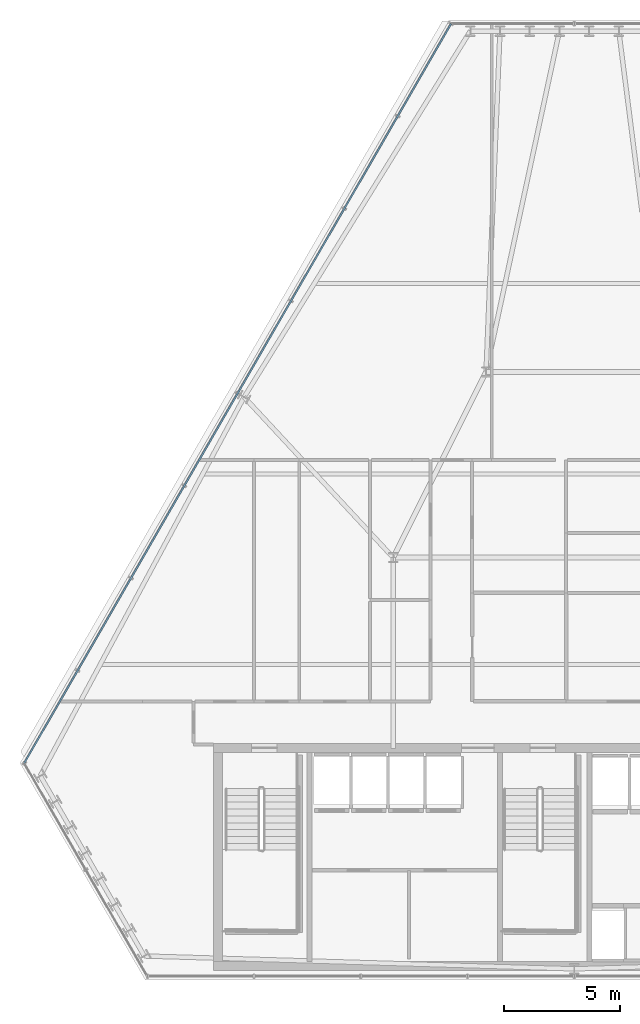
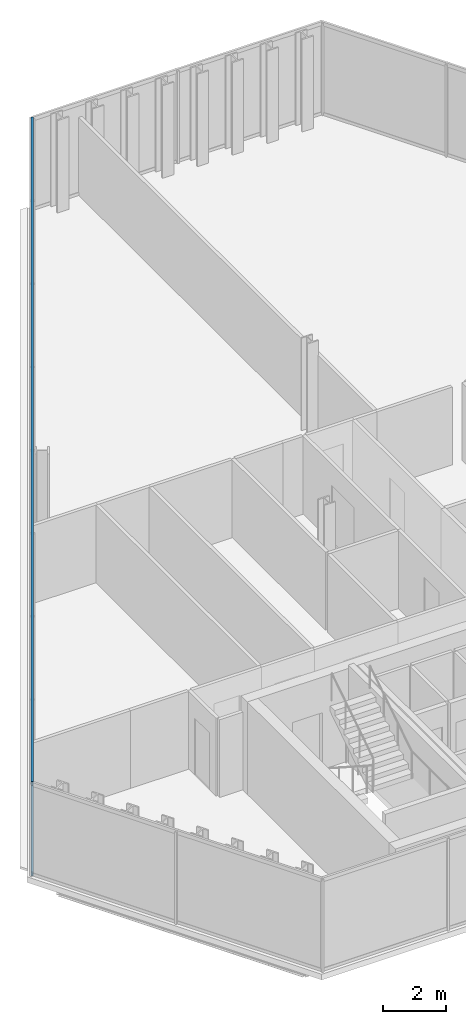
# One storey, part 12 of 33: 2 members, 1 element without a shape of its own.
"""IFC4 building model written with IfcOpenShell, lengths in metres."""

from ifc_helpers import new_model, si_unit, direction, frame, origin, origin_2d, place, context, subcontext, project, spatial, hollow_rectangle, extrude, material, layer, layer_set, material_profile, profile_set, type_object, element, aggregate, save


model = new_model("IFC4")

# Units and contexts
model_context = context("Model", 3, precision=1e-05, world=origin(), true_north=direction((0.0, 1.0)))
body_context = subcontext(model_context, "Body", "Model", "MODEL_VIEW")
ifc_project = project(units=[si_unit("LENGTHUNIT", "METRE"), si_unit("AREAUNIT", "SQUARE_METRE"), si_unit("VOLUMEUNIT", "CUBIC_METRE"), si_unit("PLANEANGLEUNIT", "RADIAN"), si_unit("MASSUNIT", "GRAM", prefix="KILO")], contexts=[model_context])

# Site, building, storey
site_placement = place(None, origin())
site = spatial("IfcSite", under=ifc_project, at=site_placement, CompositionType="ELEMENT")
building_placement = place(site_placement, origin())
building = spatial("IfcBuilding", under=site, at=building_placement, Name="Ndaravel Arena Tower", CompositionType="ELEMENT")
storey_placement = place(building_placement, frame((0.0, 0.0, 161.199951171875)))
storey = spatial("IfcBuildingStorey", under=building, at=storey_placement, Name="L38", CompositionType="ELEMENT", Elevation=161.199951171875)

# Curtain wall, members
ifc_material_1 = material(Name="Aluminium", Category="aluminium")
ifc_layer = layer(ifc_material_1, 0.179931640625)
ifc_layer_set = layer_set([ifc_layer], Name="Aluminium")
curtain_wall_type = type_object("IfcCurtainWallType", Name="CW-SYS-03", PredefinedType="NOTDEFINED", material=ifc_layer_set)
curtain_wall_placement = place(storey_placement, origin())
curtain_wall = element("IfcCurtainWall", 1, at=curtain_wall_placement, inside=storey, type_object=curtain_wall_type, Name="L38 Faceted Crystal Curtain Wall CW-L38-E05", PredefinedType="NOTDEFINED")
ifc_material_2 = material(Name="Aluminium", Category="aluminium")
ifc_material_profile = material_profile(ifc_material_2, hollow_rectangle(XDim=0.074951171875, YDim=0.14990234375, WallThickness=0.00390625, at=origin_2d()), Name="CW TRANSOM 75x150x4")
ifc_profile_set = profile_set([ifc_material_profile], Name="Aluminium")
member_type = type_object("IfcMemberType", Name="MEM-CW-TRN150", PredefinedType="USERDEFINED", material=ifc_profile_set)
member_1_placement = place(storey_placement, frame((36.695068359375, 46.20166015625, 0.0400390625), z_axis=(-0.499997675288, -0.866026745954, 0.0), x_axis=(0.866026745954, -0.499997675288, 0.0)))
member_1 = element("IfcMember", 2, at=member_1_placement, type_object=member_type, Name="CW-L38-E05 Transom 01", ObjectType="TRANSOM", PredefinedType="USERDEFINED", context=body_context, shape_type="SweptSolid", body=[
    extrude(hollow_rectangle(XDim=0.074951171875, YDim=0.14990234375, WallThickness=0.00390625, at=origin_2d()), origin(), (0.0, 0.0, 1.0), 36.781005859375),
])
member_2_placement = place(storey_placement, frame((36.695068359375, 46.20166015625, 3.5400390625), z_axis=(-0.499997675288, -0.866026745954, 0.0), x_axis=(0.866026745954, -0.499997675288, 0.0)))
member_2 = element("IfcMember", 3, at=member_2_placement, type_object=member_type, Name="CW-L38-E05 Transom 02", ObjectType="TRANSOM", PredefinedType="USERDEFINED", context=body_context, shape_type="SweptSolid", body=[
    extrude(hollow_rectangle(XDim=0.074951171875, YDim=0.14990234375, WallThickness=0.00390625, at=origin_2d()), origin(), (0.0, 0.0, 1.0), 36.781005859375),
])
aggregate(curtain_wall, [member_1, member_2])

save(model, "model.ifc")
